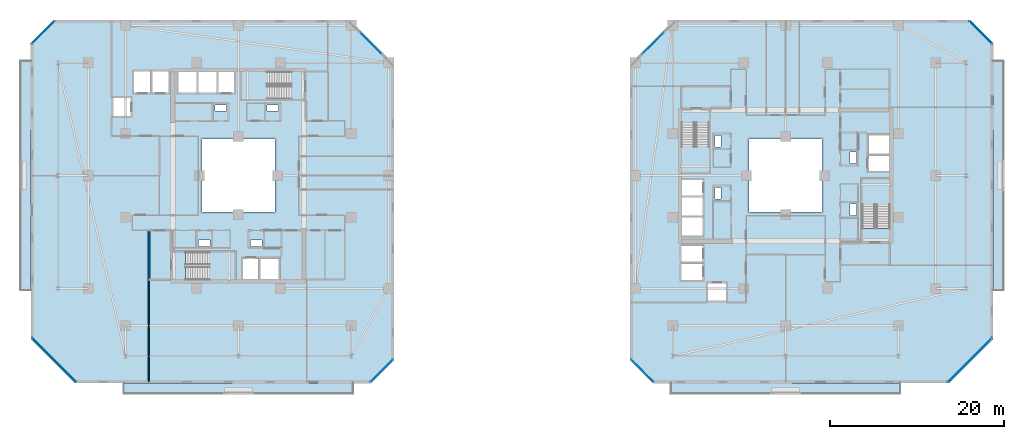
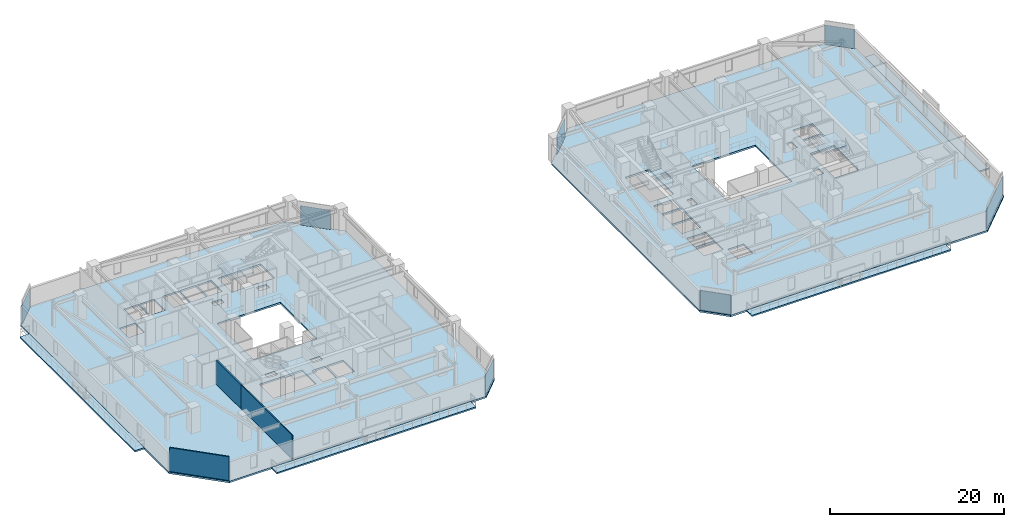
# One storey, part 17 of 33: 10 slabs, 8 plates, 3 walls, 12 elements without a shape of their own.
"""IFC4 building model written with IfcOpenShell, lengths in metres."""

from ifc_helpers import new_model, si_unit, direction, frame, frame_2d, origin, origin_2d, place, context, subcontext, project, spatial, polyline, rectangle, outline, extrude, material, layer, layer_set, type_object, element, aggregate, save


model = new_model("IFC4")

# Units and contexts
model_context = context("Model", 3, precision=1e-05, world=origin(), true_north=direction((0.0, 1.0)))
body_context = subcontext(model_context, "Body", "Model", "MODEL_VIEW")
ifc_project = project(units=[si_unit("LENGTHUNIT", "METRE"), si_unit("AREAUNIT", "SQUARE_METRE"), si_unit("VOLUMEUNIT", "CUBIC_METRE"), si_unit("PLANEANGLEUNIT", "RADIAN"), si_unit("MASSUNIT", "GRAM", prefix="KILO")], contexts=[model_context])

# Site, building, storey
site_placement = place(None, origin())
site = spatial("IfcSite", under=ifc_project, at=site_placement, CompositionType="ELEMENT")
building_placement = place(site_placement, origin())
building = spatial("IfcBuilding", under=site, at=building_placement, Name="Thornwick Lancets Civic Towers", CompositionType="ELEMENT")
storey_placement = place(building_placement, frame((0.0, 0.0, 134.10009765625)))
storey = spatial("IfcBuildingStorey", under=building, at=storey_placement, Name="L35", CompositionType="ELEMENT", Elevation=134.10009765625)

# Curtain wall, plate
ifc_material_1 = material(Name="Mid-zone chamfered-corner unitised glass curtain wall", Category="glass")
curtain_wall_type = type_object("IfcCurtainWallType", Name="CW_SYS_04", PredefinedType="NOTDEFINED", material=ifc_material_1)
curtain_wall_1_placement = place(storey_placement, origin())
curtain_wall_1 = element("IfcCurtainWall", 1, at=curtain_wall_1_placement, inside=storey, type_object=curtain_wall_type, Name="L35 Curtain Wall CW-L35-A-E1", PredefinedType="NOTDEFINED")
ifc_material_2 = material(Name="Low-e double glazing clear glass", Category="glass")
ifc_layer_1 = layer(ifc_material_2, 0.035888671875, Name="Low-e double glazing clear glass")
ifc_layer_set_1 = layer_set([ifc_layer_1], Name="Low-e double glazing clear glass")
plate_type = type_object("IfcPlateType", Name="CW_PNL_GLASS", PredefinedType="CURTAIN_PANEL", material=ifc_layer_set_1)
plate_1_placement = place(storey_placement, frame((41.972900390625, 4.527099609375, 0.0), z_axis=(0.0, 0.0, 1.0), x_axis=(0.707106781187, 0.707106781187, 0.0)))
plate_1 = element("IfcPlate", 2, at=plate_1_placement, type_object=plate_type, Name="CW-L35-A-E1 Panel 0", PredefinedType="CURTAIN_PANEL", context=body_context, shape_type="SweptSolid", body=[
    extrude(rectangle(XDim=3.649169921875, YDim=0.035888671875, at=origin_2d()), origin(), (0.0, 0.0, 1.0), 2.699951171875),
])
aggregate(curtain_wall_1, [plate_1])

curtain_wall_2_placement = place(storey_placement, origin())
curtain_wall_2 = element("IfcCurtainWall", 3, at=curtain_wall_2_placement, inside=storey, type_object=curtain_wall_type, Name="L35 Curtain Wall CW-L35-A-E3", PredefinedType="NOTDEFINED")
plate_2_placement = place(storey_placement, frame((40.727783203125, 42.227783203125, 0.0), z_axis=(0.0, 0.0, 1.0), x_axis=(-0.707106781187, 0.707106781187, 0.0)))
plate_2 = element("IfcPlate", 4, at=plate_2_placement, type_object=plate_type, Name="CW-L35-A-E3 Panel 0", PredefinedType="CURTAIN_PANEL", context=body_context, shape_type="SweptSolid", body=[
    extrude(rectangle(XDim=3.5771484375, YDim=0.035888671875, at=origin_2d()), origin(), (0.0, 0.0, 1.0), 2.699951171875),
])
aggregate(curtain_wall_2, [plate_2])

curtain_wall_3_placement = place(storey_placement, origin())
curtain_wall_3 = element("IfcCurtainWall", 5, at=curtain_wall_3_placement, inside=storey, type_object=curtain_wall_type, Name="L35 Curtain Wall CW-L35-A-E5", PredefinedType="NOTDEFINED")
plate_3_placement = place(storey_placement, frame((3.027099609375, 43.472900390625, 0.0), z_axis=(0.0, 0.0, 1.0), x_axis=(-0.707106781187, -0.707106781187, 0.0)))
plate_3 = element("IfcPlate", 6, at=plate_3_placement, type_object=plate_type, Name="CW-L35-A-E5 Panel 0", PredefinedType="CURTAIN_PANEL", context=body_context, shape_type="SweptSolid", body=[
    extrude(rectangle(XDim=3.649169921875, YDim=0.035888671875, at=origin_2d()), origin(), (0.0, 0.0, 1.0), 2.699951171875),
])
aggregate(curtain_wall_3, [plate_3])

curtain_wall_4_placement = place(storey_placement, origin())
curtain_wall_4 = element("IfcCurtainWall", 7, at=curtain_wall_4_placement, inside=storey, type_object=curtain_wall_type, Name="L35 Curtain Wall CW-L35-A-E7", PredefinedType="NOTDEFINED")
plate_4_placement = place(storey_placement, frame((4.272216796875, 5.772216796875, 0.0), z_axis=(0.0, 0.0, 1.0), x_axis=(0.707106781187, -0.707106781187, 0.0)))
plate_4 = element("IfcPlate", 8, at=plate_4_placement, type_object=plate_type, Name="CW-L35-A-E7 Panel 0", PredefinedType="CURTAIN_PANEL", context=body_context, shape_type="SweptSolid", body=[
    extrude(rectangle(XDim=7.147705078125, YDim=0.035888671875, at=origin_2d()), origin(), (0.0, 0.0, 1.0), 2.699951171875),
])
aggregate(curtain_wall_4, [plate_4])

curtain_wall_5_placement = place(storey_placement, origin())
curtain_wall_5 = element("IfcCurtainWall", 9, at=curtain_wall_5_placement, inside=storey, type_object=curtain_wall_type, Name="L35 Curtain Wall CW-L35-B-E1", PredefinedType="NOTDEFINED")
plate_5_placement = place(storey_placement, frame((109.727783203125, 5.772216796875, 0.0), z_axis=(0.0, 0.0, 1.0), x_axis=(0.707106781187, 0.707106781187, 0.0)))
plate_5 = element("IfcPlate", 10, at=plate_5_placement, type_object=plate_type, Name="CW-L35-B-E1 Panel 0", PredefinedType="CURTAIN_PANEL", context=body_context, shape_type="SweptSolid", body=[
    extrude(rectangle(XDim=7.147705078125, YDim=0.035888671875, at=origin_2d()), origin(), (0.0, 0.0, 1.0), 2.699951171875),
])
aggregate(curtain_wall_5, [plate_5])

curtain_wall_6_placement = place(storey_placement, origin())
curtain_wall_6 = element("IfcCurtainWall", 11, at=curtain_wall_6_placement, inside=storey, type_object=curtain_wall_type, Name="L35 Curtain Wall CW-L35-B-E3", PredefinedType="NOTDEFINED")
plate_6_placement = place(storey_placement, frame((110.972900390625, 43.472900390625, 0.0), z_axis=(0.0, 0.0, 1.0), x_axis=(-0.707106781187, 0.707106781187, 0.0)))
plate_6 = element("IfcPlate", 12, at=plate_6_placement, type_object=plate_type, Name="CW-L35-B-E3 Panel 0", PredefinedType="CURTAIN_PANEL", context=body_context, shape_type="SweptSolid", body=[
    extrude(rectangle(XDim=3.649169921875, YDim=0.035888671875, at=origin_2d()), origin(), (0.0, 0.0, 1.0), 2.699951171875),
])
aggregate(curtain_wall_6, [plate_6])

curtain_wall_7_placement = place(storey_placement, origin())
curtain_wall_7 = element("IfcCurtainWall", 13, at=curtain_wall_7_placement, inside=storey, type_object=curtain_wall_type, Name="L35 Curtain Wall CW-L35-B-E5", PredefinedType="NOTDEFINED")
plate_7_placement = place(storey_placement, frame((73.272216796875, 42.227783203125, 0.0), z_axis=(0.0, 0.0, 1.0), x_axis=(-0.707106781187, -0.707106781187, 0.0)))
plate_7 = element("IfcPlate", 14, at=plate_7_placement, type_object=plate_type, Name="CW-L35-B-E5 Panel 0", PredefinedType="CURTAIN_PANEL", context=body_context, shape_type="SweptSolid", body=[
    extrude(rectangle(XDim=3.5771484375, YDim=0.035888671875, at=origin_2d()), origin(), (0.0, 0.0, 1.0), 2.699951171875),
])
aggregate(curtain_wall_7, [plate_7])

curtain_wall_8_placement = place(storey_placement, origin())
curtain_wall_8 = element("IfcCurtainWall", 15, at=curtain_wall_8_placement, inside=storey, type_object=curtain_wall_type, Name="L35 Curtain Wall CW-L35-B-E7", PredefinedType="NOTDEFINED")
plate_8_placement = place(storey_placement, frame((72.027099609375, 4.527099609375, 0.0), z_axis=(0.0, 0.0, 1.0), x_axis=(0.707106781187, -0.707106781187, 0.0)))
plate_8 = element("IfcPlate", 16, at=plate_8_placement, type_object=plate_type, Name="CW-L35-B-E7 Panel 0", PredefinedType="CURTAIN_PANEL", context=body_context, shape_type="SweptSolid", body=[
    extrude(rectangle(XDim=3.649169921875, YDim=0.035888671875, at=origin_2d()), origin(), (0.0, 0.0, 1.0), 2.699951171875),
])
aggregate(curtain_wall_8, [plate_8])

# Slabs
ifc_material_3 = material(Name="Post-tensioned concrete C40/50", Category="concrete")
ifc_layer_2 = layer(ifc_material_3, 0.199951171875, Name="Post-tensioned concrete C40/50")
ifc_layer_set_2 = layer_set([ifc_layer_2], Name="Post-tensioned concrete C40/50")
slab_type_1 = type_object("IfcSlabType", Name="SLAB_BALCONY_200", PredefinedType="FLOOR", material=ifc_layer_set_2)
slab_1_placement = place(storey_placement, frame((0.0, 0.0, -0.2001953125)))
element("IfcSlab", 17, at=slab_1_placement, inside=storey, type_object=slab_type_1, Name="L35 Tower A Planted Balcony Slab W", PredefinedType="FLOOR", context=body_context, shape_type="SweptSolid", body=[
    extrude(outline(polyline([(0.35009765625, 13.800048828125), (1.60009765625, 13.800048828125), (1.60009765625, 40.199951171875), (0.35009765625, 40.199951171875), (0.35009765625, 13.800048828125)])), origin(), (0.0, 0.0, 1.0), 0.2001953125),
])
slab_2_placement = place(storey_placement, frame((0.0, 0.0, -0.2001953125)))
element("IfcSlab", 18, at=slab_2_placement, inside=storey, type_object=slab_type_1, Name="L35 Tower A Planted Balcony Slab S", PredefinedType="FLOOR", context=body_context, shape_type="SweptSolid", body=[
    extrude(outline(polyline([(12.300048828125, 1.85009765625), (38.699951171875, 1.85009765625), (38.699951171875, 3.10009765625), (12.300048828125, 3.10009765625), (12.300048828125, 1.85009765625)])), origin(), (0.0, 0.0, 1.0), 0.2001953125),
])
slab_3_placement = place(storey_placement, frame((0.0, 0.0, -0.2001953125)))
element("IfcSlab", 19, at=slab_3_placement, inside=storey, type_object=slab_type_1, Name="L35 Tower B Planted Balcony Slab E", PredefinedType="FLOOR", context=body_context, shape_type="SweptSolid", body=[
    extrude(outline(polyline([(112.39990234375, 13.800048828125), (113.64990234375, 13.800048828125), (113.64990234375, 40.199951171875), (112.39990234375, 40.199951171875), (112.39990234375, 13.800048828125)])), origin(), (0.0, 0.0, 1.0), 0.2001953125),
])
slab_4_placement = place(storey_placement, frame((0.0, 0.0, -0.2001953125)))
element("IfcSlab", 20, at=slab_4_placement, inside=storey, type_object=slab_type_1, Name="L35 Tower B Planted Balcony Slab S", PredefinedType="FLOOR", context=body_context, shape_type="SweptSolid", body=[
    extrude(outline(polyline([(75.300048828125, 1.85009765625), (101.699951171875, 1.85009765625), (101.699951171875, 3.10009765625), (75.300048828125, 3.10009765625), (75.300048828125, 1.85009765625)])), origin(), (0.0, 0.0, 1.0), 0.2001953125),
])

# Stair, slab
ifc_material_4 = material(Name="Concrete C40/50", Category="concrete")
stair_type = type_object("IfcStairType", Name="STAIR_DL_3600", PredefinedType="HALF_TURN_STAIR", material=ifc_material_4)
stair_1_placement = place(storey_placement, origin())
stair_1 = element("IfcStair", 21, at=stair_1_placement, inside=storey, type_object=stair_type, Name="L35 Tower A South Exit Stair ST-A1", PredefinedType="HALF_TURN_STAIR")
ifc_layer_3 = layer(ifc_material_4, 0.25, Name="Concrete C40/50")
ifc_layer_set_3 = layer_set([ifc_layer_3], Name="Concrete C40/50")
slab_type_2 = type_object("IfcSlabType", Name="SLAB_LANDING_200", PredefinedType="LANDING", material=ifc_layer_set_3)
slab_5_placement = place(storey_placement, frame((0.0, 0.0, 1.602783203125)))
slab_5 = element("IfcSlab", 22, at=slab_5_placement, type_object=slab_type_2, Name="ST-A1 landing 1", PredefinedType="LANDING", context=body_context, shape_type="SweptSolid", body=[
    extrude(outline(polyline([(22.169921875, 14.93994140625), (25.14990234375, 14.93994140625), (25.14990234375, 18.260009765625), (22.169921875, 18.260009765625), (22.169921875, 14.93994140625)])), origin(), (0.0, 0.0, 1.0), 0.2001953125),
])
aggregate(stair_1, [slab_5])

stair_2_placement = place(storey_placement, origin())
stair_2 = element("IfcStair", 23, at=stair_2_placement, inside=storey, type_object=stair_type, Name="L35 Tower A North Exit Stair ST-A2", PredefinedType="HALF_TURN_STAIR")
slab_6_placement = place(storey_placement, frame((0.0, 0.0, 1.602783203125)))
slab_6 = element("IfcSlab", 24, at=slab_6_placement, type_object=slab_type_2, Name="ST-A2 landing 1", PredefinedType="LANDING", context=body_context, shape_type="SweptSolid", body=[
    extrude(outline(polyline([(28.830078125, 39.06005859375), (25.85009765625, 39.06005859375), (25.85009765625, 35.739990234375), (28.830078125, 35.739990234375), (28.830078125, 39.06005859375)])), origin(), (0.0, 0.0, 1.0), 0.2001953125),
])
aggregate(stair_2, [slab_6])

stair_3_placement = place(storey_placement, origin())
stair_3 = element("IfcStair", 25, at=stair_3_placement, inside=storey, type_object=stair_type, Name="L35 Tower B East Exit Stair ST-B1", PredefinedType="HALF_TURN_STAIR")
slab_7_placement = place(storey_placement, frame((0.0, 0.0, 1.602783203125)))
slab_7 = element("IfcSlab", 26, at=slab_7_placement, type_object=slab_type_2, Name="ST-B1 landing 1", PredefinedType="LANDING", context=body_context, shape_type="SweptSolid", body=[
    extrude(outline(polyline([(100.56005859375, 23.669921875), (100.56005859375, 26.64990234375), (97.239990234375, 26.64990234375), (97.239990234375, 23.669921875), (100.56005859375, 23.669921875)])), origin(), (0.0, 0.0, 1.0), 0.2001953125),
])
aggregate(stair_3, [slab_7])

stair_4_placement = place(storey_placement, origin())
stair_4 = element("IfcStair", 27, at=stair_4_placement, inside=storey, type_object=stair_type, Name="L35 Tower B West Exit Stair ST-B2", PredefinedType="HALF_TURN_STAIR")
slab_8_placement = place(storey_placement, frame((0.0, 0.0, 1.602783203125)))
slab_8 = element("IfcSlab", 28, at=slab_8_placement, type_object=slab_type_2, Name="ST-B2 landing 1", PredefinedType="LANDING", context=body_context, shape_type="SweptSolid", body=[
    extrude(outline(polyline([(76.43994140625, 30.330078125), (76.43994140625, 27.35009765625), (79.760009765625, 27.35009765625), (79.760009765625, 30.330078125), (76.43994140625, 30.330078125)])), origin(), (0.0, 0.0, 1.0), 0.2001953125),
])
aggregate(stair_4, [slab_8])

# Slabs
ifc_layer_4 = layer(ifc_material_3, 0.239990234375, Name="Post-tensioned concrete C40/50")
ifc_layer_set_4 = layer_set([ifc_layer_4], Name="Post-tensioned concrete C40/50")
slab_type_3 = type_object("IfcSlabType", Name="SLAB_PT_240", PredefinedType="FLOOR", material=ifc_layer_set_4)
slab_9_placement = place(storey_placement, frame((0.0, 0.0, -0.239990234375)))
element("IfcSlab", 29, at=slab_9_placement, inside=storey, type_object=slab_type_3, Name="L35 Tower A Floor Slab", PredefinedType="FLOOR", context=body_context, shape_type="SweptSolid", body=[
    extrude(outline(polyline([(6.69189453125, 3.10009765625), (40.800048828125, 3.10009765625), (43.39990234375, 5.699951171875), (43.39990234375, 39.80810546875), (38.30810546875, 44.89990234375), (4.199951171875, 44.89990234375), (1.60009765625, 42.300048828125), (1.60009765625, 8.19189453125), (6.69189453125, 3.10009765625)]), holes=[polyline([(21.300048828125, 22.800048828125), (29.699951171875, 22.800048828125), (29.699951171875, 31.199951171875), (21.300048828125, 31.199951171875), (21.300048828125, 22.800048828125)]), polyline([(19.429931640625, 15.0), (25.10009765625, 15.0), (25.10009765625, 18.199951171875), (19.429931640625, 18.199951171875), (19.429931640625, 15.0)]), polyline([(31.570068359375, 39.0), (25.89990234375, 39.0), (25.89990234375, 35.800048828125), (31.570068359375, 35.800048828125), (31.570068359375, 39.0)]), polyline([(26.0, 15.0), (27.800048828125, 15.0), (27.800048828125, 17.550048828125), (26.0, 17.550048828125), (26.0, 15.0)]), polyline([(28.0, 15.0), (30.14990234375, 15.0), (30.14990234375, 17.550048828125), (28.0, 17.550048828125), (28.0, 15.0)]), polyline([(23.199951171875, 36.449951171875), (25.0, 36.449951171875), (25.0, 39.0), (23.199951171875, 39.0), (23.199951171875, 36.449951171875)]), polyline([(20.85009765625, 36.449951171875), (23.0, 36.449951171875), (23.0, 39.0), (20.85009765625, 39.0), (20.85009765625, 36.449951171875)]), polyline([(18.60009765625, 36.449951171875), (20.699951171875, 36.449951171875), (20.699951171875, 39.0), (18.60009765625, 39.0), (18.60009765625, 36.449951171875)]), polyline([(15.550048828125, 36.449951171875), (17.449951171875, 36.449951171875), (17.449951171875, 39.0), (15.550048828125, 39.0), (15.550048828125, 36.449951171875)]), polyline([(13.449951171875, 36.449951171875), (15.39990234375, 36.449951171875), (15.39990234375, 39.0), (13.449951171875, 39.0), (13.449951171875, 36.449951171875)]), polyline([(11.10009765625, 33.85009765625), (13.199951171875, 33.85009765625), (13.199951171875, 35.949951171875), (11.10009765625, 35.949951171875), (11.10009765625, 33.85009765625)]), polyline([(26.89990234375, 18.85009765625), (28.199951171875, 18.85009765625), (28.199951171875, 19.580078125), (26.89990234375, 19.580078125), (26.89990234375, 18.85009765625)]), polyline([(20.89990234375, 18.85009765625), (22.199951171875, 18.85009765625), (22.199951171875, 19.580078125), (20.89990234375, 19.580078125), (20.89990234375, 18.85009765625)]), polyline([(22.800048828125, 34.419921875), (24.10009765625, 34.419921875), (24.10009765625, 35.14990234375), (22.800048828125, 35.14990234375), (22.800048828125, 34.419921875)]), polyline([(28.800048828125, 34.419921875), (30.10009765625, 34.419921875), (30.10009765625, 35.14990234375), (28.800048828125, 35.14990234375), (28.800048828125, 34.419921875)])]), origin(), (0.0, 0.0, 1.0), 0.239990234375),
])
slab_10_placement = place(storey_placement, frame((0.0, 0.0, -0.239990234375)))
element("IfcSlab", 30, at=slab_10_placement, inside=storey, type_object=slab_type_3, Name="L35 Tower B Floor Slab", PredefinedType="FLOOR", context=body_context, shape_type="SweptSolid", body=[
    extrude(outline(polyline([(73.199951171875, 3.10009765625), (107.30810546875, 3.10009765625), (112.39990234375, 8.19189453125), (112.39990234375, 42.300048828125), (109.800048828125, 44.89990234375), (75.69189453125, 44.89990234375), (70.60009765625, 39.80810546875), (70.60009765625, 5.699951171875), (73.199951171875, 3.10009765625)]), holes=[polyline([(84.300048828125, 22.800048828125), (92.699951171875, 22.800048828125), (92.699951171875, 31.199951171875), (84.300048828125, 31.199951171875), (84.300048828125, 22.800048828125)]), polyline([(100.5, 20.929931640625), (100.5, 26.60009765625), (97.300048828125, 26.60009765625), (97.300048828125, 20.929931640625), (100.5, 20.929931640625)]), polyline([(76.5, 33.070068359375), (76.5, 27.39990234375), (79.699951171875, 27.39990234375), (79.699951171875, 33.070068359375), (76.5, 33.070068359375)]), polyline([(97.949951171875, 27.5), (100.5, 27.5), (100.5, 29.300048828125), (97.949951171875, 29.300048828125), (97.949951171875, 27.5)]), polyline([(97.949951171875, 29.5), (100.5, 29.5), (100.5, 31.64990234375), (97.949951171875, 31.64990234375), (97.949951171875, 29.5)]), polyline([(76.5, 24.699951171875), (79.050048828125, 24.699951171875), (79.050048828125, 26.5), (76.5, 26.5), (76.5, 24.699951171875)]), polyline([(76.5, 22.35009765625), (79.050048828125, 22.35009765625), (79.050048828125, 24.5), (76.5, 24.5), (76.5, 22.35009765625)]), polyline([(76.5, 20.10009765625), (79.050048828125, 20.10009765625), (79.050048828125, 22.199951171875), (76.5, 22.199951171875), (76.5, 20.10009765625)]), polyline([(76.5, 17.050048828125), (79.050048828125, 17.050048828125), (79.050048828125, 18.949951171875), (76.5, 18.949951171875), (76.5, 17.050048828125)]), polyline([(76.5, 14.949951171875), (79.050048828125, 14.949951171875), (79.050048828125, 16.89990234375), (76.5, 16.89990234375), (76.5, 14.949951171875)]), polyline([(79.550048828125, 12.60009765625), (81.64990234375, 12.60009765625), (81.64990234375, 14.699951171875), (79.550048828125, 14.699951171875), (79.550048828125, 12.60009765625)]), polyline([(95.919921875, 28.39990234375), (96.64990234375, 28.39990234375), (96.64990234375, 29.699951171875), (95.919921875, 29.699951171875), (95.919921875, 28.39990234375)]), polyline([(95.919921875, 22.39990234375), (96.64990234375, 22.39990234375), (96.64990234375, 23.699951171875), (95.919921875, 23.699951171875), (95.919921875, 22.39990234375)]), polyline([(80.35009765625, 24.300048828125), (81.080078125, 24.300048828125), (81.080078125, 25.60009765625), (80.35009765625, 25.60009765625), (80.35009765625, 24.300048828125)]), polyline([(80.35009765625, 30.300048828125), (81.080078125, 30.300048828125), (81.080078125, 31.60009765625), (80.35009765625, 31.60009765625), (80.35009765625, 30.300048828125)])]), origin(), (0.0, 0.0, 1.0), 0.239990234375),
])

# Walls
ifc_material_5 = material(Name="Concrete blockwork C40/50", Category="masonry")
ifc_layer_5 = layer(ifc_material_5, 0.199951171875, Name="Concrete blockwork C40/50")
ifc_layer_set_5 = layer_set([ifc_layer_5], Name="Concrete blockwork C40/50")
wall_type_1 = type_object("IfcWallType", Name="WALL_COMP_200", PredefinedType="STANDARD", material=ifc_layer_set_5)
wall_1_placement = place(storey_placement, frame((15.199951171875, 20.699951171875, 0.0), z_axis=(0.0, 0.0, 1.0), x_axis=(0.0, -1.0, 0.0)))
element("IfcWall", 31, at=wall_1_placement, inside=storey, type_object=wall_type_1, Name="L35 Partition L35-A-FFLOB1 E4", PredefinedType="STANDARD", context=body_context, shape_type="SweptSolid", body=[
    extrude(rectangle(XDim=5.699951171875, YDim=0.199951171875, at=frame_2d((2.85009765625, 0.0))), origin(), (0.0, 0.0, 1.0), 3.33984375),
])
ifc_material_6 = material(Name="Acoustic gypsum board partition")
ifc_layer_6 = layer(ifc_material_6, 0.1201171875, Name="Acoustic gypsum board partition")
ifc_layer_set_6 = layer_set([ifc_layer_6], Name="Acoustic gypsum board partition")
wall_type_2 = type_object("IfcWallType", Name="WALL_PART_120", PredefinedType="PARTITIONING", material=ifc_layer_set_6)
wall_2_placement = place(storey_placement, frame((15.199951171875, 15.0, 0.0), z_axis=(0.0, 0.0, 1.0), x_axis=(0.0, -1.0, 0.0)))
element("IfcWall", 32, at=wall_2_placement, inside=storey, type_object=wall_type_2, Name="L35 Partition L35-A-W1 E6", PredefinedType="PARTITIONING", context=body_context, shape_type="SweptSolid", body=[
    extrude(rectangle(XDim=11.719970703125, YDim=0.1201171875, at=frame_2d((5.85986328125, 0.0))), origin(), (0.0, 0.0, 1.0), 3.33984375),
])
wall_3_placement = place(storey_placement, frame((6.7666015625, 3.280029296875, 0.0), z_axis=(0.0, 0.0, 1.0), x_axis=(-0.707106781187, 0.707106781187, 0.0)))
element("IfcWall", 33, at=wall_3_placement, inside=storey, type_object=wall_type_2, Name="L35 Partition L35-A-W1 E8", PredefinedType="PARTITIONING", context=body_context, shape_type="SweptSolid", body=[
    extrude(rectangle(XDim=7.052001953125, YDim=0.1201171875, at=frame_2d((3.52587890625, 0.0))), origin(), (0.0, 0.0, 1.0), 3.33984375),
])

save(model, "model.ifc")
